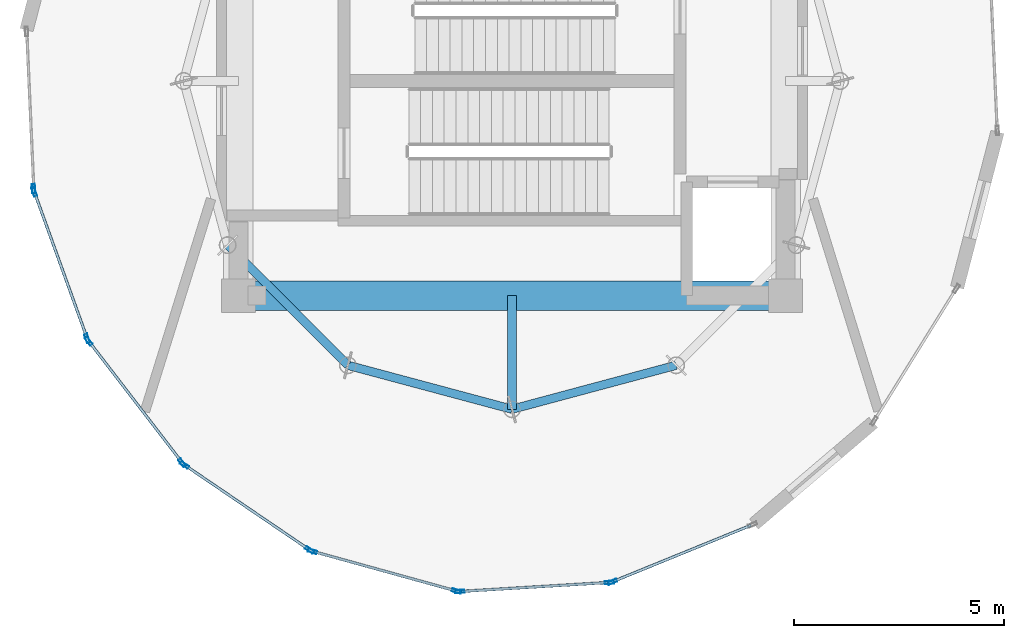
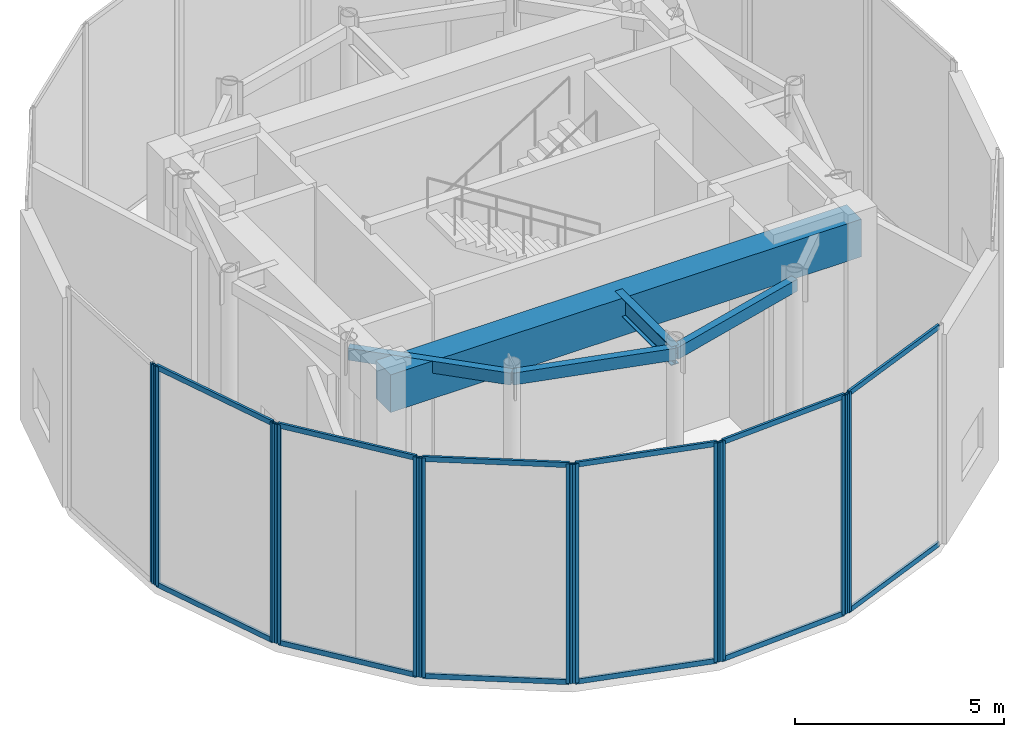
# One storey, part 2 of 9: 24 members, 5 beams, 7 elements without a shape of their own.
"""IFC4 building model written with IfcOpenShell, lengths in metres."""

from ifc_helpers import new_model, si_unit, direction, frame, origin, origin_2d, place, context, subcontext, project, spatial, rectangle, hollow_rectangle, i_section, extrude, source, transform, mapped, material, layer, layer_set, material_profile, profile_set, type_object, element, aggregate, save


model = new_model("IFC4")

# Units and contexts
model_context = context("Model", 3, precision=1e-05, world=origin(), true_north=direction((0.0, 1.0)))
body_context = subcontext(model_context, "Body", "Model", "MODEL_VIEW")
ifc_project = project(units=[si_unit("LENGTHUNIT", "METRE"), si_unit("AREAUNIT", "SQUARE_METRE"), si_unit("VOLUMEUNIT", "CUBIC_METRE"), si_unit("PLANEANGLEUNIT", "RADIAN"), si_unit("MASSUNIT", "GRAM", prefix="KILO")], contexts=[model_context])

# Site, building, storey
site_placement = place(None, origin())
site = spatial("IfcSite", under=ifc_project, at=site_placement, CompositionType="ELEMENT")
building_placement = place(site_placement, origin())
building = spatial("IfcBuilding", under=site, at=building_placement, Name="Solvirekh Grand Hotel", CompositionType="ELEMENT")
storey_placement = place(building_placement, frame((0.0, 0.0, 314.60009765625)))
storey = spatial("IfcBuildingStorey", under=building, at=storey_placement, Name="L80", CompositionType="ELEMENT", Elevation=314.60009765625)

# Beams
ifc_material_1 = material(Name="Concrete C60/75", Category="concrete")
ifc_material_profile_1 = material_profile(ifc_material_1, rectangle(XDim=0.699951171875, YDim=1.10009765625, at=origin_2d()), Name="RC BEAM 700X1100")
ifc_profile_set_1 = profile_set([ifc_material_profile_1], Name="Concrete C60/75")
beam_type_1 = type_object("IfcBeamType", Name="Beam_Core_RC1100", PredefinedType="BEAM", material=ifc_profile_set_1)
beam_1_placement = place(storey_placement, frame((-6.5, -5.10009765625, 5.56982421875), z_axis=(1.0, 0.0, 0.0), x_axis=(0.0, 1.0, 0.0)))
element("IfcBeam", 1, at=beam_1_placement, inside=storey, type_object=beam_type_1, Name="L80 core coupling ring beam 1", PredefinedType="BEAM", context=body_context, shape_type="SweptSolid", body=[
    extrude(rectangle(XDim=0.699951171875, YDim=1.10009765625, at=origin_2d()), origin(), (0.0, 0.0, 1.0), 13.0),
])
ifc_material_2 = material(Name="Steel S355", Category="steel")
ifc_material_profile_2 = material_profile(ifc_material_2, i_section(OverallWidth=0.2119140625, OverallDepth=0.5439453125, WebThickness=0.011962890625, FlangeThickness=0.01904296875, FilletRadius=0.013916015625, at=origin_2d()), Name="W530X123")
ifc_profile_set_2 = profile_set([ifc_material_profile_2], Name="Steel S355")
beam_type_2 = type_object("IfcBeamType", Name="Beam_Radial_W530H", PredefinedType="BEAM", material=ifc_profile_set_2)
beam_2_placement = place(storey_placement, frame((0.0, -5.10009765625, 5.847900390625), z_axis=(0.0, -1.0, 0.0), x_axis=(1.0, 0.0, 0.0)))
element("IfcBeam", 2, at=beam_2_placement, inside=storey, type_object=beam_type_2, Name="L80 radial floor beam R10", PredefinedType="BEAM", context=body_context, shape_type="SweptSolid", body=[
    extrude(i_section(OverallWidth=0.2119140625, OverallDepth=0.5439453125, WebThickness=0.011962890625, FlangeThickness=0.01904296875, FilletRadius=0.013916015625, at=origin_2d()), origin(), (0.0, 0.0, 1.0), 2.699951171875),
])
ifc_material_profile_3 = material_profile(ifc_material_2, hollow_rectangle(XDim=0.199951171875, YDim=0.35009765625, WallThickness=0.013916015625, at=origin_2d()), Name="RHS 350X200X14")
ifc_profile_set_3 = profile_set([ifc_material_profile_3], Name="Steel S355")
beam_type_3 = type_object("IfcBeamType", Name="Spandrel_Crown_RHS350", PredefinedType="SPANDREL", material=ifc_profile_set_3)
for number, where, z_axis, x_axis, name in (
    (3, (-6.7548828125, -3.89990234375, 5.94482421875), (0.707106781187, -0.707106781187, 0.0), (0.707106781187, 0.707106781187, 0.0), "L80 perimeter spandrel beam 8"),
    (4, (-3.89990234375, -6.7548828125, 5.94482421875), (0.965914040095, -0.258863027773, 0.0), (0.258863027773, 0.965914040095, 0.0), "L80 perimeter spandrel beam 9"),
    (5, (0.0, -7.800048828125, 5.94482421875), (0.965914040095, 0.258863027773, 0.0), (-0.258863027773, 0.965914040095, 0.0), "L80 perimeter spandrel beam 10"),
):
    element("IfcBeam", number, at=place(storey_placement, frame(where, z_axis=z_axis, x_axis=x_axis)), inside=storey, type_object=beam_type_3, Name=name, PredefinedType="SPANDREL", context=body_context, shape_type="SweptSolid", body=[
        extrude(hollow_rectangle(XDim=0.199951171875, YDim=0.35009765625, WallThickness=0.013916015625, at=origin_2d()), origin(), (0.0, 0.0, 1.0), 4.03759765625),
    ])

# Curtain wall, members
ifc_material_3 = material(Name="Anodized Bronze Aluminium 6063-T6", Category="aluminium")
ifc_layer = layer(ifc_material_3, 0.219970703125)
ifc_layer_set = layer_set([ifc_layer], Name="Anodized Bronze Aluminium 6063-T6")
curtain_wall_type = type_object("IfcCurtainWallType", Name="CW_Sys6_CrownFacetedPointCW", PredefinedType="NOTDEFINED", material=ifc_layer_set)
curtain_wall_1_placement = place(storey_placement, origin())
curtain_wall_1 = element("IfcCurtainWall", 6, at=curtain_wall_1_placement, inside=storey, type_object=curtain_wall_type, Name="L80 unitised bronze-glass curtain wall CW-L80-C01", PredefinedType="NOTDEFINED")
ifc_material_profile_4 = material_profile(ifc_material_3, hollow_rectangle(XDim=0.074951171875, YDim=0.219970703125, WallThickness=0.006103515625, at=origin_2d()), Name="ALU RHS 220X75X6")
ifc_profile_set_4 = profile_set([ifc_material_profile_4], Name="Anodized Bronze Aluminium 6063-T6")
member_type_1 = type_object("IfcMemberType", Name="CWMullion_Sys6", PredefinedType="MULLION", material=ifc_profile_set_4)
shared_shape_1 = source(origin(), body_context, "Body", "SweptSolid", [
    extrude(hollow_rectangle(XDim=0.074951171875, YDim=0.219970703125, WallThickness=0.006103515625, at=origin_2d()), origin(), (0.0, 0.0, 1.0), 6.39990234375),
])
member_1_placement = place(storey_placement, frame((-1.237548828125, -12.130859375, 0.0), z_axis=(0.0, 0.0, 1.0), x_axis=(-0.060270712136, 0.998182068191, 0.0)))
member_1 = element("IfcMember", 7, at=member_1_placement, type_object=member_type_1, Name="U06 mullion 1", PredefinedType="MULLION", context=body_context, shape_type="MappedRepresentation", body=[
    mapped(shared_shape_1, transform((0.0, 0.0, 0.0), x_axis=(1.0, 0.0, 0.0), y_axis=(0.0, 1.0, 0.0), z_axis=(0.0, 0.0, 1.0), scale=1.0)),
])
member_2_placement = place(storey_placement, frame((2.314453125, -11.916259765625, 0.0), z_axis=(0.0, 0.0, 1.0), x_axis=(-0.060270712136, 0.998182068191, 0.0)))
member_2 = element("IfcMember", 8, at=member_2_placement, type_object=member_type_1, Name="U06 mullion 2", PredefinedType="MULLION", context=body_context, shape_type="MappedRepresentation", body=[
    mapped(shared_shape_1, transform((0.0, 0.0, 0.0), x_axis=(1.0, 0.0, 0.0), y_axis=(0.0, 1.0, 0.0), z_axis=(0.0, 0.0, 1.0), scale=1.0)),
])

# Curtain wall, member
curtain_wall_2_placement = place(storey_placement, origin())
curtain_wall_2 = element("IfcCurtainWall", 9, at=curtain_wall_2_placement, inside=storey, type_object=curtain_wall_type, Name="L80 unitised bronze-glass curtain wall CW-L80-C02", PredefinedType="NOTDEFINED")
member_3_placement = place(storey_placement, frame((2.38671875, -11.89990234375, 0.0), z_axis=(0.0, 0.0, 1.0), x_axis=(-0.377539320526, 0.92599355368, 0.0)))
member_3 = element("IfcMember", 10, at=member_3_placement, type_object=member_type_1, Name="U06 mullion 1", PredefinedType="MULLION", context=body_context, shape_type="MappedRepresentation", body=[
    mapped(shared_shape_1, transform((0.0, 0.0, 0.0), x_axis=(1.0, 0.0, 0.0), y_axis=(0.0, 1.0, 0.0), z_axis=(0.0, 0.0, 1.0), scale=1.0)),
])

curtain_wall_3_placement = place(storey_placement, origin())
curtain_wall_3 = element("IfcCurtainWall", 11, at=curtain_wall_3_placement, inside=storey, type_object=curtain_wall_type, Name="L80 unitised bronze-glass curtain wall CW-L80-C16", PredefinedType="NOTDEFINED")
member_4_placement = place(storey_placement, frame((-11.36767578125, -2.55859375, 0.0), z_axis=(0.0, 0.0, 1.0), x_axis=(0.999005516281, 0.044586751848, 0.0)))
member_4 = element("IfcMember", 12, at=member_4_placement, type_object=member_type_1, Name="U06 mullion 2", PredefinedType="MULLION", context=body_context, shape_type="MappedRepresentation", body=[
    mapped(shared_shape_1, transform((0.0, 0.0, 0.0), x_axis=(1.0, 0.0, 0.0), y_axis=(0.0, 1.0, 0.0), z_axis=(0.0, 0.0, 1.0), scale=1.0)),
])
aggregate(curtain_wall_3, [member_4])

# Curtain wall, members
curtain_wall_4_placement = place(storey_placement, origin())
curtain_wall_4 = element("IfcCurtainWall", 13, at=curtain_wall_4_placement, inside=storey, type_object=curtain_wall_type, Name="L80 unitised bronze-glass curtain wall CW-L80-C17", PredefinedType="NOTDEFINED")
member_5_placement = place(storey_placement, frame((-11.353271484375, -2.63134765625, 0.0), z_axis=(0.0, 0.0, 1.0), x_axis=(0.940617276531, 0.339468907399, 0.0)))
member_5 = element("IfcMember", 14, at=member_5_placement, type_object=member_type_1, Name="U06 mullion 1", PredefinedType="MULLION", context=body_context, shape_type="MappedRepresentation", body=[
    mapped(shared_shape_1, transform((0.0, 0.0, 0.0), x_axis=(1.0, 0.0, 0.0), y_axis=(0.0, 1.0, 0.0), z_axis=(0.0, 0.0, 1.0), scale=1.0)),
])
member_6_placement = place(storey_placement, frame((-10.095703125, -6.11572265625, 0.0), z_axis=(0.0, 0.0, 1.0), x_axis=(0.940617276531, 0.339468907399, 0.0)))
member_6 = element("IfcMember", 15, at=member_6_placement, type_object=member_type_1, Name="U06 mullion 2", PredefinedType="MULLION", context=body_context, shape_type="MappedRepresentation", body=[
    mapped(shared_shape_1, transform((0.0, 0.0, 0.0), x_axis=(1.0, 0.0, 0.0), y_axis=(0.0, 1.0, 0.0), z_axis=(0.0, 0.0, 1.0), scale=1.0)),
])

curtain_wall_5_placement = place(storey_placement, origin())
curtain_wall_5 = element("IfcCurtainWall", 16, at=curtain_wall_5_placement, inside=storey, type_object=curtain_wall_type, Name="L80 unitised bronze-glass curtain wall CW-L80-C18", PredefinedType="NOTDEFINED")
member_7_placement = place(storey_placement, frame((-10.06005859375, -6.1806640625, 0.0), z_axis=(0.0, 0.0, 1.0), x_axis=(0.792723806687, 0.609580976008, 0.0)))
member_7 = element("IfcMember", 17, at=member_7_placement, type_object=member_type_1, Name="U06 mullion 1", PredefinedType="MULLION", context=body_context, shape_type="MappedRepresentation", body=[
    mapped(shared_shape_1, transform((0.0, 0.0, 0.0), x_axis=(1.0, 0.0, 0.0), y_axis=(0.0, 1.0, 0.0), z_axis=(0.0, 0.0, 1.0), scale=1.0)),
])
member_8_placement = place(storey_placement, frame((-7.8359375, -9.0732421875, 0.0), z_axis=(0.0, 0.0, 1.0), x_axis=(0.792723806687, 0.609580976008, 0.0)))
member_8 = element("IfcMember", 18, at=member_8_placement, type_object=member_type_1, Name="U06 mullion 2", PredefinedType="MULLION", context=body_context, shape_type="MappedRepresentation", body=[
    mapped(shared_shape_1, transform((0.0, 0.0, 0.0), x_axis=(1.0, 0.0, 0.0), y_axis=(0.0, 1.0, 0.0), z_axis=(0.0, 0.0, 1.0), scale=1.0)),
])

curtain_wall_6_placement = place(storey_placement, origin())
curtain_wall_6 = element("IfcCurtainWall", 19, at=curtain_wall_6_placement, inside=storey, type_object=curtain_wall_type, Name="L80 unitised bronze-glass curtain wall CW-L80-C19", PredefinedType="NOTDEFINED")
member_9_placement = place(storey_placement, frame((-7.781982421875, -9.1240234375, 0.0), z_axis=(0.0, 0.0, 1.0), x_axis=(0.561974520124, 0.827154543439, 0.0)))
member_9 = element("IfcMember", 20, at=member_9_placement, type_object=member_type_1, Name="U06 mullion 1", PredefinedType="MULLION", context=body_context, shape_type="MappedRepresentation", body=[
    mapped(shared_shape_1, transform((0.0, 0.0, 0.0), x_axis=(1.0, 0.0, 0.0), y_axis=(0.0, 1.0, 0.0), z_axis=(0.0, 0.0, 1.0), scale=1.0)),
])
member_10_placement = place(storey_placement, frame((-4.80908203125, -11.14404296875, 0.0), z_axis=(0.0, 0.0, 1.0), x_axis=(0.561974520124, 0.827154543439, 0.0)))
member_10 = element("IfcMember", 21, at=member_10_placement, type_object=member_type_1, Name="U06 mullion 2", PredefinedType="MULLION", context=body_context, shape_type="MappedRepresentation", body=[
    mapped(shared_shape_1, transform((0.0, 0.0, 0.0), x_axis=(1.0, 0.0, 0.0), y_axis=(0.0, 1.0, 0.0), z_axis=(0.0, 0.0, 1.0), scale=1.0)),
])

curtain_wall_7_placement = place(storey_placement, origin())
curtain_wall_7 = element("IfcCurtainWall", 22, at=curtain_wall_7_placement, inside=storey, type_object=curtain_wall_type, Name="L80 unitised bronze-glass curtain wall CW-L80-C20", PredefinedType="NOTDEFINED")
member_11_placement = place(storey_placement, frame((-4.741943359375, -11.175048828125, 0.0), z_axis=(0.0, 0.0, 1.0), x_axis=(0.266352197766, 0.963875773503, 0.0)))
member_11 = element("IfcMember", 23, at=member_11_placement, type_object=member_type_1, Name="U06 mullion 1", PredefinedType="MULLION", context=body_context, shape_type="MappedRepresentation", body=[
    mapped(shared_shape_1, transform((0.0, 0.0, 0.0), x_axis=(1.0, 0.0, 0.0), y_axis=(0.0, 1.0, 0.0), z_axis=(0.0, 0.0, 1.0), scale=1.0)),
])
member_12_placement = place(storey_placement, frame((-1.31103515625, -12.123046875, 0.0), z_axis=(0.0, 0.0, 1.0), x_axis=(0.266352197766, 0.963875773503, 0.0)))
member_12 = element("IfcMember", 24, at=member_12_placement, type_object=member_type_1, Name="U06 mullion 2", PredefinedType="MULLION", context=body_context, shape_type="MappedRepresentation", body=[
    mapped(shared_shape_1, transform((0.0, 0.0, 0.0), x_axis=(1.0, 0.0, 0.0), y_axis=(0.0, 1.0, 0.0), z_axis=(0.0, 0.0, 1.0), scale=1.0)),
])

# Member
ifc_material_profile_5 = material_profile(ifc_material_3, hollow_rectangle(XDim=0.06494140625, YDim=0.14990234375, WallThickness=0.0048828125, at=origin_2d()), Name="ALU RHS 150X65X5")
ifc_profile_set_5 = profile_set([ifc_material_profile_5], Name="Anodized Bronze Aluminium 6063-T6")
member_type_2 = type_object("IfcMemberType", Name="CWTransom_Sys6", PredefinedType="USERDEFINED", material=ifc_profile_set_5)
shared_shape_2 = source(origin(), body_context, "Body", "SweptSolid", [
    extrude(hollow_rectangle(XDim=0.06494140625, YDim=0.14990234375, WallThickness=0.0048828125, at=origin_2d()), origin(), (0.0, 0.0, 1.0), 3.483642578125),
])
member_13_placement = place(storey_placement, frame((-1.2001953125, -12.12841796875, 0.032470703125), z_axis=(0.998182064704, 0.060270769897, 0.0), x_axis=(-0.060270769897, 0.998182064704, 0.0)))
member_13 = element("IfcMember", 25, at=member_13_placement, type_object=member_type_2, Name="U06 transom 1.1", ObjectType="TRANSOM", PredefinedType="USERDEFINED", context=body_context, shape_type="MappedRepresentation", body=[
    mapped(shared_shape_2, transform((0.0, 0.0, 0.0), x_axis=(1.0, 0.0, 0.0), y_axis=(0.0, 1.0, 0.0), z_axis=(0.0, 0.0, 1.0), scale=1.0)),
])

member_14_placement = place(storey_placement, frame((-1.2001953125, -12.12841796875, 6.367431640625), z_axis=(0.998182064704, 0.060270769897, 0.0), x_axis=(-0.060270769897, 0.998182064704, 0.0)))
member_14 = element("IfcMember", 26, at=member_14_placement, type_object=member_type_2, Name="U06 transom 1.2", ObjectType="TRANSOM", PredefinedType="USERDEFINED", context=body_context, shape_type="MappedRepresentation", body=[
    mapped(shared_shape_2, transform((0.0, 0.0, 0.0), x_axis=(1.0, 0.0, 0.0), y_axis=(0.0, 1.0, 0.0), z_axis=(0.0, 0.0, 1.0), scale=1.0)),
])

aggregate(curtain_wall_1, [member_1, member_2, member_13, member_14])

shared_shape_3 = source(origin(), body_context, "Body", "SweptSolid", [
    extrude(hollow_rectangle(XDim=0.06494140625, YDim=0.14990234375, WallThickness=0.0048828125, at=origin_2d()), origin(), (0.0, 0.0, 1.0), 3.5185546875),
])
member_15_placement = place(storey_placement, frame((2.42138671875, -11.8857421875, 0.032470703125), z_axis=(0.925991754118, 0.377543734294, 0.0), x_axis=(-0.377543734294, 0.925991754118, 0.0)))
member_15 = element("IfcMember", 27, at=member_15_placement, type_object=member_type_2, Name="U06 transom 1.1", ObjectType="TRANSOM", PredefinedType="USERDEFINED", context=body_context, shape_type="MappedRepresentation", body=[
    mapped(shared_shape_3, transform((0.0, 0.0, 0.0), x_axis=(1.0, 0.0, 0.0), y_axis=(0.0, 1.0, 0.0), z_axis=(0.0, 0.0, 1.0), scale=1.0)),
])

member_16_placement = place(storey_placement, frame((2.42138671875, -11.8857421875, 6.367431640625), z_axis=(0.925991754118, 0.377543734294, 0.0), x_axis=(-0.377543734294, 0.925991754118, 0.0)))
member_16 = element("IfcMember", 28, at=member_16_placement, type_object=member_type_2, Name="U06 transom 1.2", ObjectType="TRANSOM", PredefinedType="USERDEFINED", context=body_context, shape_type="MappedRepresentation", body=[
    mapped(shared_shape_3, transform((0.0, 0.0, 0.0), x_axis=(1.0, 0.0, 0.0), y_axis=(0.0, 1.0, 0.0), z_axis=(0.0, 0.0, 1.0), scale=1.0)),
])

aggregate(curtain_wall_2, [member_3, member_15, member_16])

shared_shape_4 = source(origin(), body_context, "Body", "SweptSolid", [
    extrude(hollow_rectangle(XDim=0.06494140625, YDim=0.14990234375, WallThickness=0.0048828125, at=origin_2d()), origin(), (0.0, 0.0, 1.0), 3.629638671875),
])
member_17_placement = place(storey_placement, frame((-11.340576171875, -2.66650390625, 0.032470703125), z_axis=(0.339479169248, -0.940613572966, 0.0), x_axis=(0.940613572966, 0.339479169248, 0.0)))
member_17 = element("IfcMember", 29, at=member_17_placement, type_object=member_type_2, Name="U06 transom 1.1", ObjectType="TRANSOM", PredefinedType="USERDEFINED", context=body_context, shape_type="MappedRepresentation", body=[
    mapped(shared_shape_4, transform((0.0, 0.0, 0.0), x_axis=(1.0, 0.0, 0.0), y_axis=(0.0, 1.0, 0.0), z_axis=(0.0, 0.0, 1.0), scale=1.0)),
])

member_18_placement = place(storey_placement, frame((-11.340576171875, -2.66650390625, 6.367431640625), z_axis=(0.339479169248, -0.940613572966, 0.0), x_axis=(0.940613572966, 0.339479169248, 0.0)))
member_18 = element("IfcMember", 30, at=member_18_placement, type_object=member_type_2, Name="U06 transom 1.2", ObjectType="TRANSOM", PredefinedType="USERDEFINED", context=body_context, shape_type="MappedRepresentation", body=[
    mapped(shared_shape_4, transform((0.0, 0.0, 0.0), x_axis=(1.0, 0.0, 0.0), y_axis=(0.0, 1.0, 0.0), z_axis=(0.0, 0.0, 1.0), scale=1.0)),
])

aggregate(curtain_wall_4, [member_5, member_6, member_17, member_18])

shared_shape_5 = source(origin(), body_context, "Body", "SweptSolid", [
    extrude(hollow_rectangle(XDim=0.06494140625, YDim=0.14990234375, WallThickness=0.0048828125, at=origin_2d()), origin(), (0.0, 0.0, 1.0), 3.573974609375),
])
member_19_placement = place(storey_placement, frame((-10.037353515625, -6.21044921875, 0.032470703125), z_axis=(0.60961831934, -0.792695089379, 0.0), x_axis=(0.792695089379, 0.60961831934, 0.0)))
member_19 = element("IfcMember", 31, at=member_19_placement, type_object=member_type_2, Name="U06 transom 1.1", ObjectType="TRANSOM", PredefinedType="USERDEFINED", context=body_context, shape_type="MappedRepresentation", body=[
    mapped(shared_shape_5, transform((0.0, 0.0, 0.0), x_axis=(1.0, 0.0, 0.0), y_axis=(0.0, 1.0, 0.0), z_axis=(0.0, 0.0, 1.0), scale=1.0)),
])

member_20_placement = place(storey_placement, frame((-10.037353515625, -6.21044921875, 6.367431640625), z_axis=(0.60961831934, -0.792695089379, 0.0), x_axis=(0.792695089379, 0.60961831934, 0.0)))
member_20 = element("IfcMember", 32, at=member_20_placement, type_object=member_type_2, Name="U06 transom 1.2", ObjectType="TRANSOM", PredefinedType="USERDEFINED", context=body_context, shape_type="MappedRepresentation", body=[
    mapped(shared_shape_5, transform((0.0, 0.0, 0.0), x_axis=(1.0, 0.0, 0.0), y_axis=(0.0, 1.0, 0.0), z_axis=(0.0, 0.0, 1.0), scale=1.0)),
])

aggregate(curtain_wall_5, [member_7, member_8, member_19, member_20])

shared_shape_6 = source(origin(), body_context, "Body", "SweptSolid", [
    extrude(hollow_rectangle(XDim=0.06494140625, YDim=0.14990234375, WallThickness=0.0048828125, at=origin_2d()), origin(), (0.0, 0.0, 1.0), 3.484130859375),
])
member_21_placement = place(storey_placement, frame((-4.705810546875, -11.18505859375, 0.032470703125), z_axis=(0.96388042083, -0.26633537944, 0.0), x_axis=(0.26633537944, 0.96388042083, 0.0)))
member_21 = element("IfcMember", 33, at=member_21_placement, type_object=member_type_2, Name="U06 transom 1.1", ObjectType="TRANSOM", PredefinedType="USERDEFINED", context=body_context, shape_type="MappedRepresentation", body=[
    mapped(shared_shape_6, transform((0.0, 0.0, 0.0), x_axis=(1.0, 0.0, 0.0), y_axis=(0.0, 1.0, 0.0), z_axis=(0.0, 0.0, 1.0), scale=1.0)),
])

member_22_placement = place(storey_placement, frame((-4.705810546875, -11.18505859375, 6.367431640625), z_axis=(0.96388042083, -0.26633537944, 0.0), x_axis=(0.26633537944, 0.96388042083, 0.0)))
member_22 = element("IfcMember", 34, at=member_22_placement, type_object=member_type_2, Name="U06 transom 1.2", ObjectType="TRANSOM", PredefinedType="USERDEFINED", context=body_context, shape_type="MappedRepresentation", body=[
    mapped(shared_shape_6, transform((0.0, 0.0, 0.0), x_axis=(1.0, 0.0, 0.0), y_axis=(0.0, 1.0, 0.0), z_axis=(0.0, 0.0, 1.0), scale=1.0)),
])

aggregate(curtain_wall_7, [member_11, member_12, member_21, member_22])

shared_shape_7 = source(origin(), body_context, "Body", "SweptSolid", [
    extrude(hollow_rectangle(XDim=0.06494140625, YDim=0.14990234375, WallThickness=0.0048828125, at=origin_2d()), origin(), (0.0, 0.0, 1.0), 3.51904296875),
])
member_23_placement = place(storey_placement, frame((-7.7509765625, -9.145263671875, 0.032470703125), z_axis=(0.827172882864, -0.561947525891, 0.0), x_axis=(0.561947525891, 0.827172882864, 0.0)))
member_23 = element("IfcMember", 35, at=member_23_placement, type_object=member_type_2, Name="U06 transom 1.1", ObjectType="TRANSOM", PredefinedType="USERDEFINED", context=body_context, shape_type="MappedRepresentation", body=[
    mapped(shared_shape_7, transform((0.0, 0.0, 0.0), x_axis=(1.0, 0.0, 0.0), y_axis=(0.0, 1.0, 0.0), z_axis=(0.0, 0.0, 1.0), scale=1.0)),
])

member_24_placement = place(storey_placement, frame((-7.7509765625, -9.145263671875, 6.367431640625), z_axis=(0.827172882864, -0.561947525891, 0.0), x_axis=(0.561947525891, 0.827172882864, 0.0)))
member_24 = element("IfcMember", 36, at=member_24_placement, type_object=member_type_2, Name="U06 transom 1.2", ObjectType="TRANSOM", PredefinedType="USERDEFINED", context=body_context, shape_type="MappedRepresentation", body=[
    mapped(shared_shape_7, transform((0.0, 0.0, 0.0), x_axis=(1.0, 0.0, 0.0), y_axis=(0.0, 1.0, 0.0), z_axis=(0.0, 0.0, 1.0), scale=1.0)),
])

aggregate(curtain_wall_6, [member_9, member_10, member_23, member_24])

save(model, "model.ifc")
